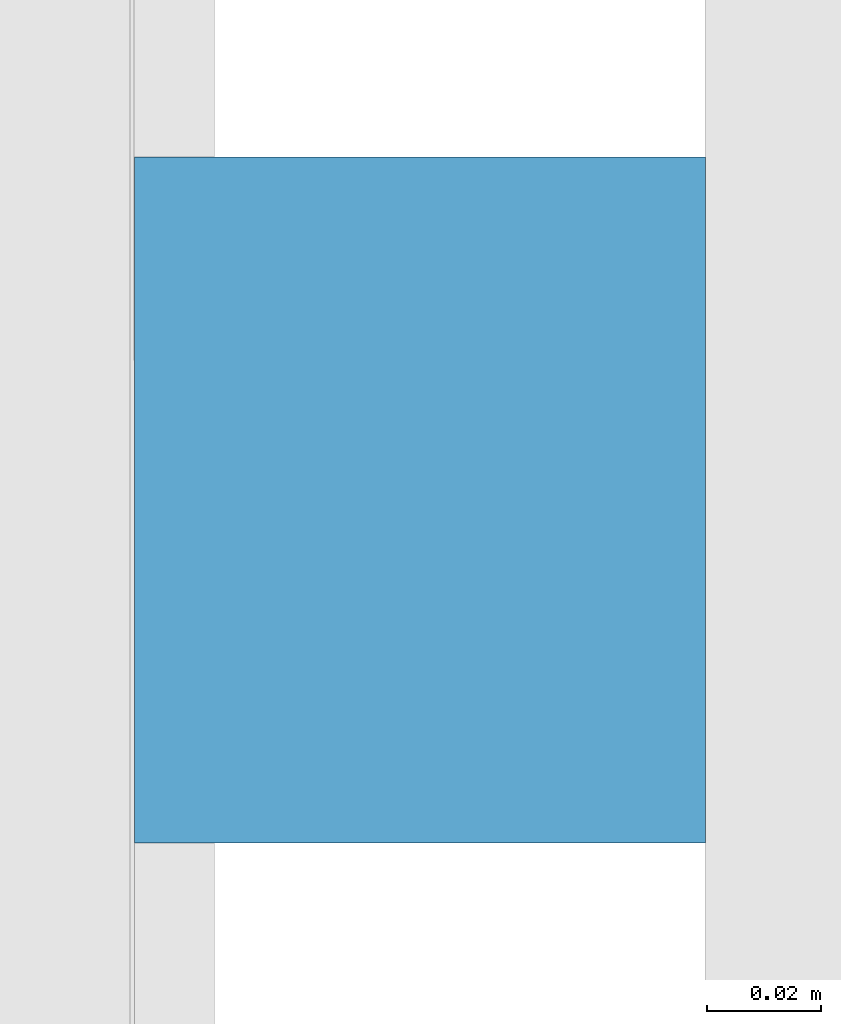
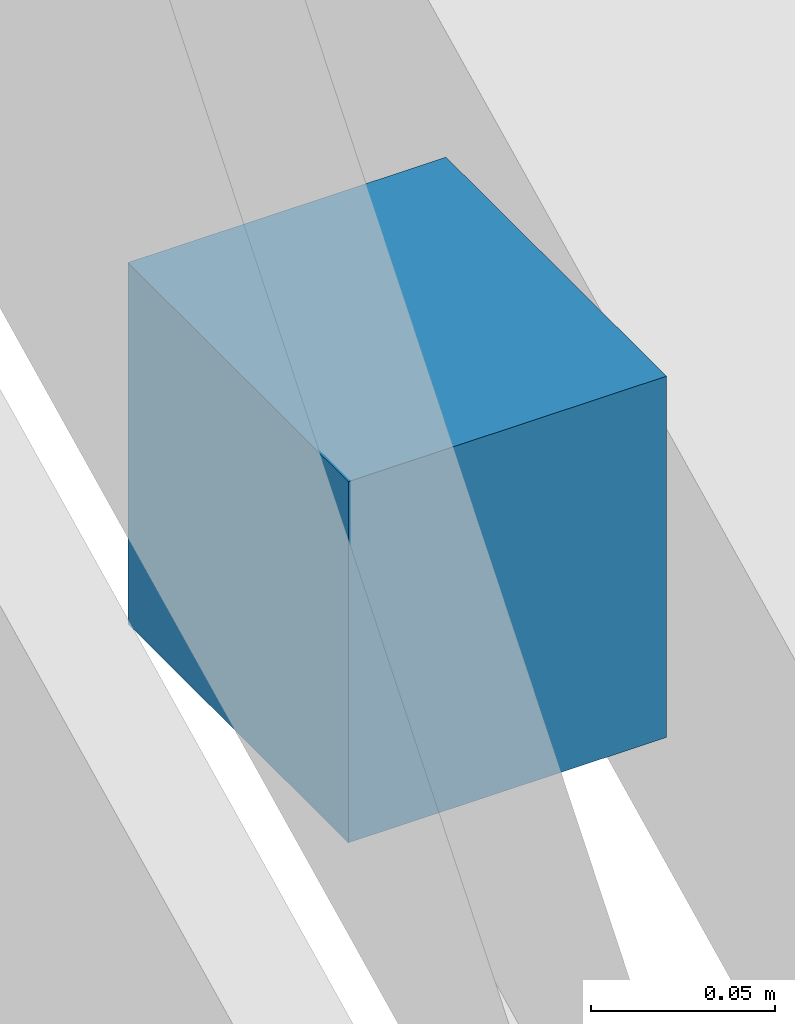
# One storey, part 21 of 22: 1 discrete accessory.
"""IFC4 building model written with IfcOpenShell, lengths in metres."""

from ifc_helpers import new_model, si_unit, direction, frame, origin, origin_2d, place, context, subcontext, project, spatial, rectangle, extrude, material, type_object, element, save


model = new_model("IFC4")

# Units and contexts
model_context = context("Model", 3, precision=1e-05, world=origin(), true_north=direction((0.0, 1.0)))
body_context = subcontext(model_context, "Body", "Model", "MODEL_VIEW")
ifc_project = project(units=[si_unit("LENGTHUNIT", "METRE"), si_unit("AREAUNIT", "SQUARE_METRE"), si_unit("VOLUMEUNIT", "CUBIC_METRE"), si_unit("PLANEANGLEUNIT", "RADIAN"), si_unit("MASSUNIT", "GRAM", prefix="KILO")], contexts=[model_context])

# Site, building, storey
site_placement = place(None, origin())
site = spatial("IfcSite", under=ifc_project, at=site_placement, CompositionType="ELEMENT")
building_placement = place(site_placement, origin())
building = spatial("IfcBuilding", under=site, at=building_placement, Name="Crosswind Convention Tower", CompositionType="ELEMENT")
storey_placement = place(building_placement, frame((0.0, 0.0, 158.89990234375)))
storey = spatial("IfcBuildingStorey", under=building, at=storey_placement, Name="L33", CompositionType="ELEMENT", Elevation=158.89990234375)

# Discrete accessory
ifc_material = material(Name="Stainless steel", Category="steel")
discrete_accessory_type = type_object("IfcDiscreteAccessoryType", Name="BAGUETTE BRACKET BK3", PredefinedType="BRACKET", material=ifc_material)
discrete_accessory_placement = place(storey_placement, frame((161.72607421875, 91.767578125, 1.705078125), z_axis=(0.0, 0.0, 1.0), x_axis=(0.0, 1.0, 0.0)))
element("IfcDiscreteAccessory", 1, at=discrete_accessory_placement, inside=storey, type_object=discrete_accessory_type, Name="BK3 baguette bracket", PredefinedType="BRACKET", context=body_context, shape_type="SweptSolid", body=[
    extrude(rectangle(XDim=0.1201171875, YDim=0.10009765625, at=origin_2d()), origin(), (0.0, 0.0, 1.0), 0.1201171875),
])

save(model, "model.ifc")
